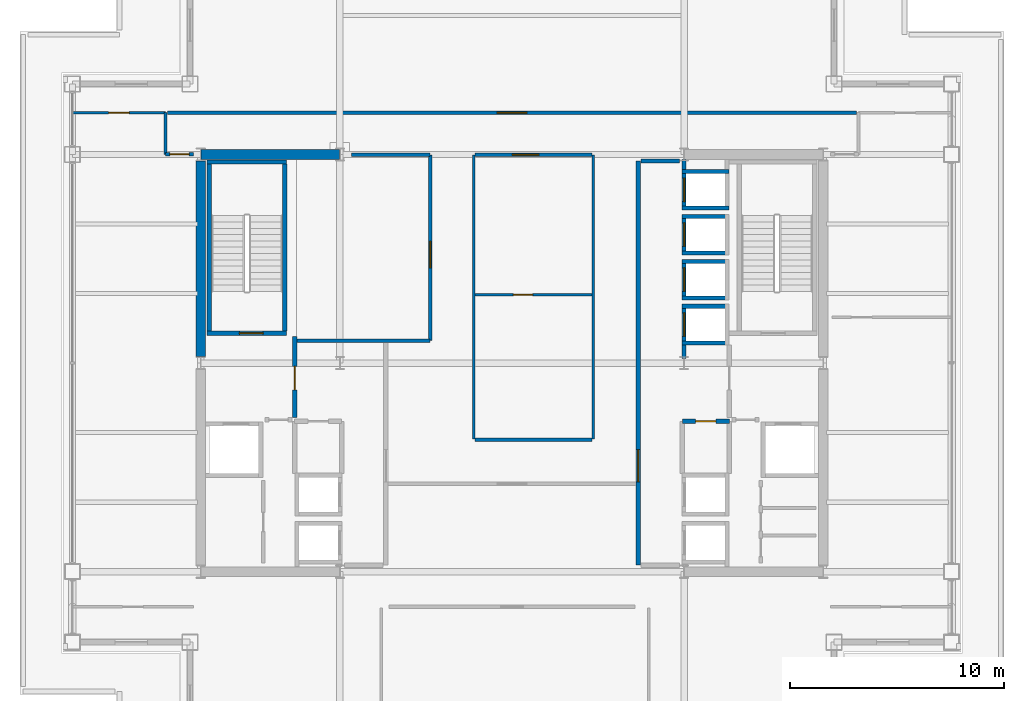
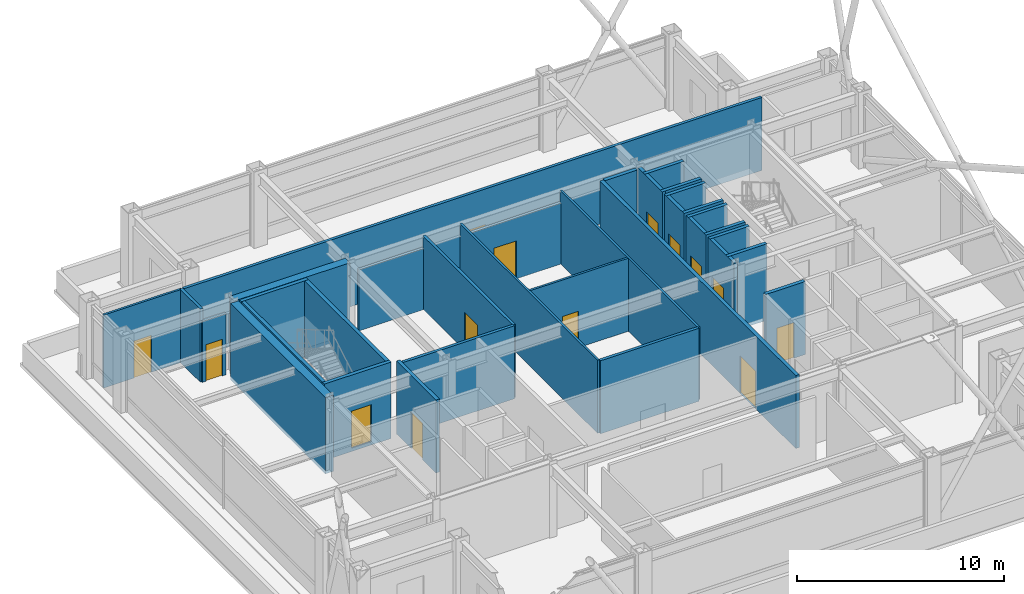
# One storey, part 21 of 24: 34 walls, 14 doors, 14 openings.
"""IFC4 building model written with IfcOpenShell, lengths in metres."""

from ifc_helpers import new_model, si_unit, direction, frame, frame_2d, origin, place, context, subcontext, project, spatial, rectangle, extrude, material, layer, layer_set, type_object, element, fill, save


model = new_model("IFC4")

# Units and contexts
model_context = context("Model", 3, precision=1e-05, world=origin(), true_north=direction((0.0, 1.0)))
body_context = subcontext(model_context, "Body", "Model", "MODEL_VIEW")
ifc_project = project(units=[si_unit("LENGTHUNIT", "METRE"), si_unit("AREAUNIT", "SQUARE_METRE"), si_unit("VOLUMEUNIT", "CUBIC_METRE"), si_unit("PLANEANGLEUNIT", "RADIAN"), si_unit("MASSUNIT", "GRAM", prefix="KILO")], contexts=[model_context])

# Site, building, storey
site_placement = place(None, origin())
site = spatial("IfcSite", under=ifc_project, at=site_placement, CompositionType="ELEMENT")
building_placement = place(site_placement, origin())
building = spatial("IfcBuilding", under=site, at=building_placement, Name="Brelmoor Portico Tower", CompositionType="ELEMENT")
storey_placement = place(building_placement, frame((0.0, 0.0, 150.60009765625)))
storey = spatial("IfcBuildingStorey", under=building, at=storey_placement, Name="L39", CompositionType="ELEMENT", Elevation=150.60009765625)

# Walls
ifc_material_1 = material(Name="Concrete C50", Category="concrete")
ifc_layer_1 = layer(ifc_material_1, 0.449951171875)
ifc_layer_set_1 = layer_set([ifc_layer_1], Name="Concrete C50")
wall_type_1 = type_object("IfcWallType", Name="WL-CORE-450", PredefinedType="SHEAR", material=ifc_layer_set_1)
wall_1_placement = place(storey_placement, frame((-14.530029296875, 9.75, -0.2001953125), z_axis=(0.0, 0.0, 1.0), x_axis=(1.0, 0.0, 0.0)))
element("IfcWall", 1, at=wall_1_placement, inside=storey, type_object=wall_type_1, Name="L39 WC North Shear Wall", PredefinedType="SHEAR", context=body_context, shape_type="SweptSolid", body=[
    extrude(rectangle(XDim=6.4599609375, YDim=0.449951171875, at=frame_2d((3.22998046875, 0.0))), origin(), (0.0, 0.0, 1.0), 4.5),
])
wall_2_placement = place(storey_placement, frame((-14.550048828125, 0.300048828125, -0.2001953125), z_axis=(0.0, 0.0, 1.0), x_axis=(0.0, 1.0, 0.0)))
element("IfcWall", 2, at=wall_2_placement, inside=storey, type_object=wall_type_1, Name="L39 WC Outer North Shear Wall", PredefinedType="SHEAR", context=body_context, shape_type="SweptSolid", body=[
    extrude(rectangle(XDim=9.14990234375, YDim=0.449951171875, at=frame_2d((4.574951171875, 0.0))), origin(), (0.0, 0.0, 1.0), 4.5),
])
ifc_material_2 = material(Name="Lightweight Gypsum Office Partition", Category="gypsum")
ifc_layer_2 = layer(ifc_material_2, 0.1201171875)
ifc_layer_set_2 = layer_set([ifc_layer_2], Name="Lightweight Gypsum Office Partition")
wall_type_2 = type_object("IfcWallType", Name="WL-PART-120", PredefinedType="PARTITIONING", material=ifc_layer_set_2)
for number, where, z_axis, x_axis, name in (
    (3, (-1.780029296875, -3.550048828125, 0.0), (0.0, 0.0, 1.0), (0.0, 1.0, 0.0), "L39 Central Studio West Wall"),
    (4, (3.800048828125, -3.550048828125, 0.0), (0.0, 0.0, 1.0), (0.0, 1.0, 0.0), "L39 Central Studio East Wall"),
):
    element("IfcWall", number, at=place(storey_placement, frame(where, z_axis=z_axis, x_axis=x_axis)), inside=storey, type_object=wall_type_2, Name=name, PredefinedType="PARTITIONING", context=body_context, shape_type="SweptSolid", body=[
        extrude(rectangle(XDim=13.280029296875, YDim=0.1201171875, at=frame_2d((6.64013671875, 0.0))), origin(), (0.0, 0.0, 1.0), 4.2998046875),
    ])

# Wall, opening, door
wall_3_placement = place(storey_placement, frame((-1.72998046875, 3.199951171875, 0.0), z_axis=(0.0, 0.0, 1.0), x_axis=(1.0, 0.0, 0.0)))
wall_3 = element("IfcWall", 5, at=wall_3_placement, inside=storey, type_object=wall_type_2, Name="L39 Central Pantry Divider", PredefinedType="PARTITIONING", context=body_context, shape_type="SweptSolid", body=[
    extrude(rectangle(XDim=5.47998046875, YDim=0.1201171875, at=frame_2d((2.739990234375, 0.0))), origin(), (0.0, 0.0, 1.0), 4.2998046875),
])
opening_1_placement = place(wall_3_placement, frame((1.800048828125, 0.0, 0.0)))
opening_1 = element("IfcOpeningElement", 6, at=opening_1_placement, cuts=wall_3, Name="Opening D-IN1", PredefinedType="OPENING", context=body_context, shape_type="SweptSolid", body=[
    extrude(rectangle(XDim=0.89990234375, YDim=2.14990234375, at=frame_2d((0.449951171875, 1.074951171875))), frame((0.0, 0.070068359375, 0.0), z_axis=(0.0, -1.0, 0.0), x_axis=(1.0, 0.0, 0.0)), (0.0, 0.0, 1.0), 0.14013671875),
])
ifc_material_3 = material(Name="Lacquered Timber Suite Door", Category="wood")
door_type_1 = type_object("IfcDoorType", Name="DR-INT-900", OperationType="NOTDEFINED", PredefinedType="DOOR", material=ifc_material_3)
door_1_placement = place(opening_1_placement, origin())
door_1 = element("IfcDoor", 7, at=door_1_placement, inside=storey, type_object=door_type_1, Name="D-1670 L39 Central Pantry Connecting Door", OperationType="SINGLE_SWING_LEFT", OverallHeight=2.14990234375, OverallWidth=0.89990234375, PredefinedType="DOOR", context=body_context, shape_type="SweptSolid", body=[
    extrude(rectangle(XDim=0.89990234375, YDim=2.14990234375, at=frame_2d((0.449951171875, 1.074951171875))), frame((0.0, 0.02490234375, 0.0), z_axis=(0.0, -1.0, 0.0), x_axis=(1.0, 0.0, 0.0)), (0.0, 0.0, 1.0), 0.050048828125),
])
fill(opening_1, door_1)

wall_4_placement = place(storey_placement, frame((-20.56005859375, 11.7099609375, 0.0), z_axis=(0.0, 0.0, 1.0), x_axis=(1.0, 0.0, 0.0)))
wall_4 = element("IfcWall", 8, at=wall_4_placement, inside=storey, type_object=wall_type_2, Name="L39 North Wing Closure WL", PredefinedType="PARTITIONING", context=body_context, shape_type="SweptSolid", body=[
    extrude(rectangle(XDim=4.360107421875, YDim=0.1201171875, at=frame_2d((2.18017578125, 0.0))), origin(), (0.0, 0.0, 1.0), 4.2998046875),
])
opening_2_placement = place(wall_4_placement, frame((1.699951171875, 0.0, 0.0)))
opening_2 = element("IfcOpeningElement", 9, at=opening_2_placement, cuts=wall_4, Name="Opening D-IN2", PredefinedType="OPENING", context=body_context, shape_type="SweptSolid", body=[
    extrude(rectangle(XDim=0.9599609375, YDim=2.179931640625, at=frame_2d((0.47998046875, 1.08984375))), frame((0.0, 0.070068359375, 0.0), z_axis=(0.0, -1.0, 0.0), x_axis=(1.0, 0.0, 0.0)), (0.0, 0.0, 1.0), 0.14013671875),
])
door_type_2 = type_object("IfcDoorType", Name="DR-INT-950", OperationType="NOTDEFINED", PredefinedType="DOOR", material=ifc_material_3)
door_2_placement = place(opening_2_placement, origin())
door_2 = element("IfcDoor", 10, at=door_2_placement, inside=storey, type_object=door_type_2, Name="D-1686 L39 WL Wing North Suite Door", OperationType="SINGLE_SWING_LEFT", OverallHeight=2.179931640625, OverallWidth=0.9599609375, PredefinedType="DOOR", context=body_context, shape_type="SweptSolid", body=[
    extrude(rectangle(XDim=0.9599609375, YDim=2.179931640625, at=frame_2d((0.47998046875, 1.08984375))), frame((0.0, 0.02490234375, 0.0), z_axis=(0.0, -1.0, 0.0), x_axis=(1.0, 0.0, 0.0)), (0.0, 0.0, 1.0), 0.050048828125),
])
fill(opening_2, door_2)

# Wall
ifc_material_4 = material(Name="Twin-Frame Acoustic Partition", Category="gypsum")
ifc_layer_3 = layer(ifc_material_4, 0.159912109375)
ifc_layer_set_3 = layer_set([ifc_layer_3], Name="Twin-Frame Acoustic Partition")
wall_type_3 = type_object("IfcWallType", Name="WL-PART-160", PredefinedType="PARTITIONING", material=ifc_layer_set_3)
wall_5_placement = place(storey_placement, frame((-10.050048828125, 1.050048828125, 0.0), z_axis=(0.0, 0.0, 1.0), x_axis=(1.0, 0.0, 0.0)))
element("IfcWall", 11, at=wall_5_placement, inside=storey, type_object=wall_type_3, Name="L39 Reclaimed West Suite South Wall", PredefinedType="PARTITIONING", context=body_context, shape_type="SweptSolid", body=[
    extrude(rectangle(XDim=6.2099609375, YDim=0.159912109375, at=frame_2d((3.10498046875, 0.0))), origin(), (0.0, 0.0, 1.0), 4.2998046875),
])

# Wall, opening, door
wall_6_placement = place(storey_placement, frame((-3.820068359375, 1.050048828125, 0.0), z_axis=(0.0, 0.0, 1.0), x_axis=(0.0, 1.0, 0.0)))
wall_6 = element("IfcWall", 12, at=wall_6_placement, inside=storey, type_object=wall_type_3, Name="L39 Reclaimed West Suite East Wall", PredefinedType="PARTITIONING", context=body_context, shape_type="SweptSolid", body=[
    extrude(rectangle(XDim=8.679931640625, YDim=0.159912109375, at=frame_2d((4.33984375, 0.0))), origin(), (0.0, 0.0, 1.0), 4.2998046875),
])
opening_3_placement = place(wall_6_placement, frame((3.39990234375, 0.0, 0.0)))
opening_3 = element("IfcOpeningElement", 13, at=opening_3_placement, cuts=wall_6, Name="Opening D-SU1", PredefinedType="OPENING", context=body_context, shape_type="SweptSolid", body=[
    extrude(rectangle(XDim=1.239990234375, YDim=2.239990234375, at=frame_2d((0.6201171875, 1.1201171875))), frame((0.0, 0.08984375, 0.0), z_axis=(0.0, -1.0, 0.0), x_axis=(1.0, 0.0, 0.0)), (0.0, 0.0, 1.0), 0.179931640625),
])
ifc_material_5 = material(Name="Glazed Timber Executive Suite Door", Category="wood")
door_type_3 = type_object("IfcDoorType", Name="DR-SUITE-1200", OperationType="NOTDEFINED", PredefinedType="DOOR", material=ifc_material_5)
door_3_placement = place(opening_3_placement, origin())
door_3 = element("IfcDoor", 14, at=door_3_placement, inside=storey, type_object=door_type_3, Name="D-1687 L39 West Reclaimed Collaboration Office Door", OperationType="SINGLE_SWING_RIGHT", OverallHeight=2.239990234375, OverallWidth=1.239990234375, PredefinedType="DOOR", context=body_context, shape_type="SweptSolid", body=[
    extrude(rectangle(XDim=1.239990234375, YDim=2.239990234375, at=frame_2d((0.6201171875, 1.1201171875))), frame((0.0, 0.02490234375, 0.0), z_axis=(0.0, -1.0, 0.0), x_axis=(1.0, 0.0, 0.0)), (0.0, 0.0, 1.0), 0.050048828125),
])
fill(opening_3, door_3)

# Walls
wall_7_placement = place(storey_placement, frame((-7.5, 9.72998046875, 0.0), z_axis=(0.0, 0.0, 1.0), x_axis=(1.0, 0.0, 0.0)))
element("IfcWall", 15, at=wall_7_placement, inside=storey, type_object=wall_type_3, Name="L39 Reclaimed West Suite North Wall", PredefinedType="PARTITIONING", context=body_context, shape_type="SweptSolid", body=[
    extrude(rectangle(XDim=3.659912109375, YDim=0.159912109375, at=frame_2d((1.830078125, 0.0))), origin(), (0.0, 0.0, 1.0), 3.599853515625),
])
wall_8_placement = place(storey_placement, frame((-1.72998046875, -3.580078125, 0.0), z_axis=(0.0, 0.0, 1.0), x_axis=(1.0, 0.0, 0.0)))
element("IfcWall", 16, at=wall_8_placement, inside=storey, type_object=wall_type_3, Name="L39 Central Studio South Wall", PredefinedType="PARTITIONING", context=body_context, shape_type="SweptSolid", body=[
    extrude(rectangle(XDim=5.47998046875, YDim=0.159912109375, at=frame_2d((2.739990234375, 0.0))), origin(), (0.0, 0.0, 1.0), 4.2998046875),
])

# Wall, opening, door
wall_9_placement = place(storey_placement, frame((-1.72998046875, 9.72998046875, 0.0), z_axis=(0.0, 0.0, 1.0), x_axis=(1.0, 0.0, 0.0)))
wall_9 = element("IfcWall", 17, at=wall_9_placement, inside=storey, type_object=wall_type_3, Name="L39 Central Meeting North Wall", PredefinedType="PARTITIONING", context=body_context, shape_type="SweptSolid", body=[
    extrude(rectangle(XDim=5.47998046875, YDim=0.159912109375, at=frame_2d((2.739990234375, 0.0))), origin(), (0.0, 0.0, 1.0), 3.599853515625),
])
opening_4_placement = place(wall_9_placement, frame((1.75, 0.0, 0.0)))
opening_4 = element("IfcOpeningElement", 18, at=opening_4_placement, cuts=wall_9, Name="Opening D-SU1", PredefinedType="OPENING", context=body_context, shape_type="SweptSolid", body=[
    extrude(rectangle(XDim=1.239990234375, YDim=2.239990234375, at=frame_2d((0.6201171875, 1.1201171875))), frame((0.0, 0.08984375, 0.0), z_axis=(0.0, -1.0, 0.0), x_axis=(1.0, 0.0, 0.0)), (0.0, 0.0, 1.0), 0.179931640625),
])
door_4_placement = place(opening_4_placement, origin())
door_4 = element("IfcDoor", 19, at=door_4_placement, inside=storey, type_object=door_type_3, Name="D-1671 L39 Client Meeting Room Door", OperationType="SINGLE_SWING_RIGHT", OverallHeight=2.239990234375, OverallWidth=1.239990234375, PredefinedType="DOOR", context=body_context, shape_type="SweptSolid", body=[
    extrude(rectangle(XDim=1.239990234375, YDim=2.239990234375, at=frame_2d((0.6201171875, 1.1201171875))), frame((0.0, 0.02490234375, 0.0), z_axis=(0.0, -1.0, 0.0), x_axis=(1.0, 0.0, 0.0)), (0.0, 0.0, 1.0), 0.050048828125),
])
fill(opening_4, door_4)

wall_10_placement = place(storey_placement, frame((-16.10009765625, 11.7099609375, 0.0), z_axis=(0.0, 0.0, 1.0), x_axis=(1.0, 0.0, 0.0)))
wall_10 = element("IfcWall", 20, at=wall_10_placement, inside=storey, type_object=wall_type_3, Name="L39 North Corridor Partition", PredefinedType="PARTITIONING", context=body_context, shape_type="SweptSolid", body=[
    extrude(rectangle(XDim=32.2001953125, YDim=0.159912109375, at=frame_2d((16.10009765625, 0.0))), origin(), (0.0, 0.0, 1.0), 4.2998046875),
])
opening_5_placement = place(wall_10_placement, frame((15.39990234375, 0.0, 0.0)))
opening_5 = element("IfcOpeningElement", 21, at=opening_5_placement, cuts=wall_10, Name="Opening D-SU2", PredefinedType="OPENING", context=body_context, shape_type="SweptSolid", body=[
    extrude(rectangle(XDim=1.39990234375, YDim=2.199951171875, at=frame_2d((0.699951171875, 1.10009765625))), frame((0.0, 0.08984375, 0.0), z_axis=(0.0, -1.0, 0.0), x_axis=(1.0, 0.0, 0.0)), (0.0, 0.0, 1.0), 0.179931640625),
])
ifc_material_6 = material(Name="Double-Leaf Acoustic Suite Door", Category="timber")
door_type_4 = type_object("IfcDoorType", Name="DR-SUITE-1400", OperationType="NOTDEFINED", PredefinedType="DOOR", material=ifc_material_6)
door_5_placement = place(opening_5_placement, origin())
door_5 = element("IfcDoor", 22, at=door_5_placement, inside=storey, type_object=door_type_4, Name="D-1684 L39 North Sky-Lobby Transfer Lounge 1 Door", OperationType="DOUBLE_DOOR_SINGLE_SWING", OverallHeight=2.199951171875, OverallWidth=1.39990234375, PredefinedType="DOOR", context=body_context, shape_type="SweptSolid", body=[
    extrude(rectangle(XDim=1.39990234375, YDim=2.199951171875, at=frame_2d((0.699951171875, 1.10009765625))), frame((0.0, 0.02490234375, 0.0), z_axis=(0.0, -1.0, 0.0), x_axis=(1.0, 0.0, 0.0)), (0.0, 0.0, 1.0), 0.050048828125),
])
fill(opening_5, door_5)

wall_11_placement = place(storey_placement, frame((-16.199951171875, 9.760009765625, 0.0), z_axis=(0.0, 0.0, 1.0), x_axis=(1.0, 0.0, 0.0)))
wall_11 = element("IfcWall", 23, at=wall_11_placement, inside=storey, type_object=wall_type_3, Name="L39 W Wing North Entry Wall", PredefinedType="PARTITIONING", context=body_context, shape_type="SweptSolid", body=[
    extrude(rectangle(XDim=1.320068359375, YDim=0.159912109375, at=frame_2d((0.66015625, 0.0))), origin(), (0.0, 0.0, 1.0), 3.599853515625),
])
opening_6_placement = place(wall_11_placement, frame((0.2099609375, 0.0, 0.0)))
opening_6 = element("IfcOpeningElement", 24, at=opening_6_placement, cuts=wall_11, Name="Opening D-IN1", PredefinedType="OPENING", context=body_context, shape_type="SweptSolid", body=[
    extrude(rectangle(XDim=0.89990234375, YDim=2.14990234375, at=frame_2d((0.449951171875, 1.074951171875))), frame((0.0, 0.08984375, 0.0), z_axis=(0.0, -1.0, 0.0), x_axis=(1.0, 0.0, 0.0)), (0.0, 0.0, 1.0), 0.179931640625),
])
door_6_placement = place(opening_6_placement, origin())
door_6 = element("IfcDoor", 25, at=door_6_placement, inside=storey, type_object=door_type_1, Name="D-1697 L39 W Wing Entry Door", OperationType="SINGLE_SWING_RIGHT", OverallHeight=2.14990234375, OverallWidth=0.89990234375, PredefinedType="DOOR", context=body_context, shape_type="SweptSolid", body=[
    extrude(rectangle(XDim=0.89990234375, YDim=2.14990234375, at=frame_2d((0.449951171875, 1.074951171875))), frame((0.0, 0.02490234375, 0.0), z_axis=(0.0, -1.0, 0.0), x_axis=(1.0, 0.0, 0.0)), (0.0, 0.0, 1.0), 0.050048828125),
])
fill(opening_6, door_6)

# Wall
wall_12_placement = place(storey_placement, frame((-16.199951171875, 9.760009765625, 0.0), z_axis=(0.0, 0.0, 1.0), x_axis=(0.0, 1.0, 0.0)))
element("IfcWall", 26, at=wall_12_placement, inside=storey, type_object=wall_type_3, Name="L39 W Corridor End Closure", PredefinedType="PARTITIONING", context=body_context, shape_type="SweptSolid", body=[
    extrude(rectangle(XDim=1.949951171875, YDim=0.159912109375, at=frame_2d((0.97509765625, 0.0))), origin(), (0.0, 0.0, 1.0), 4.2998046875),
])

# Wall, opening, door
ifc_material_7 = material(Name="Double-Stud Gypsum Fire Partition", Category="gypsum")
ifc_layer_4 = layer(ifc_material_7, 0.199951171875)
ifc_layer_set_4 = layer_set([ifc_layer_4], Name="Double-Stud Gypsum Fire Partition")
wall_type_4 = type_object("IfcWallType", Name="WL-PART-200", PredefinedType="PARTITIONING", material=ifc_layer_set_4)
wall_13_placement = place(storey_placement, frame((-10.159912109375, -2.550048828125, 0.0), z_axis=(0.0, 0.0, 1.0), x_axis=(0.0, 1.0, 0.0)))
wall_13 = element("IfcWall", 27, at=wall_13_placement, inside=storey, type_object=wall_type_4, Name="L39 W Firefighting Lobby Wall", PredefinedType="PARTITIONING", context=body_context, shape_type="SweptSolid", body=[
    extrude(rectangle(XDim=3.800048828125, YDim=0.199951171875, at=frame_2d((1.89990234375, 0.0))), origin(), (0.0, 0.0, 1.0), 4.2998046875),
])
opening_7_placement = place(wall_13_placement, frame((1.300048828125, 0.0, 0.0)))
opening_7 = element("IfcOpeningElement", 28, at=opening_7_placement, cuts=wall_13, Name="Opening D-FR1", PredefinedType="OPENING", context=body_context, shape_type="SweptSolid", body=[
    extrude(rectangle(XDim=1.10009765625, YDim=2.14990234375, at=frame_2d((0.550048828125, 1.074951171875))), frame((0.0, 0.10986328125, 0.0), z_axis=(0.0, -1.0, 0.0), x_axis=(1.0, 0.0, 0.0)), (0.0, 0.0, 1.0), 0.219970703125),
])
ifc_material_8 = material(Name="Painted Galvanised Steel Fire Door", Category="steel")
door_type_5 = type_object("IfcDoorType", Name="DR-FIRE-1100", OperationType="NOTDEFINED", PredefinedType="DOOR", material=ifc_material_8)
door_7_placement = place(opening_7_placement, origin())
door_7 = element("IfcDoor", 29, at=door_7_placement, inside=storey, type_object=door_type_5, Name="D-1681 L39 W Firefighting Lobby Door", OperationType="SINGLE_SWING_RIGHT", OverallHeight=2.14990234375, OverallWidth=1.10009765625, PredefinedType="DOOR", context=body_context, shape_type="SweptSolid", body=[
    extrude(rectangle(XDim=1.10009765625, YDim=2.14990234375, at=frame_2d((0.550048828125, 1.074951171875))), frame((0.0, 0.02490234375, 0.0), z_axis=(0.0, -1.0, 0.0), x_axis=(1.0, 0.0, 0.0)), (0.0, 0.0, 1.0), 0.050048828125),
])
fill(opening_7, door_7)

wall_14_placement = place(storey_placement, frame((5.89990234375, -9.449951171875, 0.0), z_axis=(0.0, 0.0, 1.0), x_axis=(0.0, 1.0, 0.0)))
wall_14 = element("IfcWall", 30, at=wall_14_placement, inside=storey, type_object=wall_type_4, Name="L39 E Core Lobby Compartment Wall", PredefinedType="PARTITIONING", context=body_context, shape_type="SweptSolid", body=[
    extrude(rectangle(XDim=18.89990234375, YDim=0.199951171875, at=frame_2d((9.449951171875, 0.0))), origin(), (0.0, 0.0, 1.0), 4.2998046875),
])
opening_8_placement = place(wall_14_placement, frame((3.89990234375, 0.0, 0.0)))
opening_8 = element("IfcOpeningElement", 31, at=opening_8_placement, cuts=wall_14, Name="Opening D-LB1", PredefinedType="OPENING", context=body_context, shape_type="SweptSolid", body=[
    extrude(rectangle(XDim=1.5, YDim=2.199951171875, at=frame_2d((0.75, 1.10009765625))), frame((0.0, 0.10986328125, 0.0), z_axis=(0.0, -1.0, 0.0), x_axis=(1.0, 0.0, 0.0)), (0.0, 0.0, 1.0), 0.219970703125),
])
ifc_material_9 = material(Name="Double-Leaf Glazed Steel Fire Door", Category="steel")
door_type_6 = type_object("IfcDoorType", Name="DR-LOBBY-1500", OperationType="NOTDEFINED", PredefinedType="DOOR", material=ifc_material_9)
door_8_placement = place(opening_8_placement, origin())
door_8 = element("IfcDoor", 32, at=door_8_placement, inside=storey, type_object=door_type_6, Name="D-1682 L39 E Lift Lobby Main Door", OperationType="DOUBLE_DOOR_SINGLE_SWING", OverallHeight=2.199951171875, OverallWidth=1.5, PredefinedType="DOOR", context=body_context, shape_type="SweptSolid", body=[
    extrude(rectangle(XDim=1.5, YDim=2.199951171875, at=frame_2d((0.75, 1.10009765625))), frame((0.0, 0.02490234375, 0.0), z_axis=(0.0, -1.0, 0.0), x_axis=(1.0, 0.0, 0.0)), (0.0, 0.0, 1.0), 0.050048828125),
])
fill(opening_8, door_8)

# Wall
wall_15_placement = place(storey_placement, frame((6.02001953125, 9.449951171875, 0.0), z_axis=(0.0, 0.0, 1.0), x_axis=(1.0, 0.0, 0.0)))
element("IfcWall", 33, at=wall_15_placement, inside=storey, type_object=wall_type_4, Name="L39 E Lift Lobby North End Wall", PredefinedType="PARTITIONING", context=body_context, shape_type="SweptSolid", body=[
    extrude(rectangle(XDim=1.800048828125, YDim=0.199951171875, at=frame_2d((0.89990234375, 0.0))), origin(), (0.0, 0.0, 1.0), 4.2998046875),
])

# Wall, opening, door
wall_16_placement = place(storey_placement, frame((7.9599609375, -2.719970703125, 0.0), z_axis=(0.0, 0.0, 1.0), x_axis=(1.0, 0.0, 0.0)))
wall_16 = element("IfcWall", 34, at=wall_16_placement, inside=storey, type_object=wall_type_4, Name="L39 E Electrical Switchgear Closet Wall", PredefinedType="PARTITIONING", context=body_context, shape_type="SweptSolid", body=[
    extrude(rectangle(XDim=2.199951171875, YDim=0.199951171875, at=frame_2d((1.10009765625, 0.0))), origin(), (0.0, 0.0, 1.0), 4.2998046875),
])
opening_9_placement = place(wall_16_placement, frame((0.6201171875, 0.0, 0.0)))
opening_9 = element("IfcOpeningElement", 35, at=opening_9_placement, cuts=wall_16, Name="Opening D-FR4", PredefinedType="OPENING", context=body_context, shape_type="SweptSolid", body=[
    extrude(rectangle(XDim=0.949951171875, YDim=2.10009765625, at=frame_2d((0.47509765625, 1.050048828125))), frame((0.0, 0.10986328125, 0.0), z_axis=(0.0, -1.0, 0.0), x_axis=(1.0, 0.0, 0.0)), (0.0, 0.0, 1.0), 0.219970703125),
])
ifc_material_10 = material(Name="Painted Galvanised Steel Riser Door", Category="steel")
door_type_7 = type_object("IfcDoorType", Name="DR-FIRE-950", OperationType="NOTDEFINED", PredefinedType="DOOR", material=ifc_material_10)
door_9_placement = place(opening_9_placement, origin())
door_9 = element("IfcDoor", 36, at=door_9_placement, inside=storey, type_object=door_type_7, Name="D-1678 L39 E Electrical Switchgear Closet Door", OperationType="SINGLE_SWING_RIGHT", OverallHeight=2.10009765625, OverallWidth=0.949951171875, PredefinedType="DOOR", context=body_context, shape_type="SweptSolid", body=[
    extrude(rectangle(XDim=0.949951171875, YDim=2.10009765625, at=frame_2d((0.47509765625, 1.050048828125))), frame((0.0, 0.02490234375, 0.0), z_axis=(0.0, -1.0, 0.0), x_axis=(1.0, 0.0, 0.0)), (0.0, 0.0, 1.0), 0.050048828125),
])
fill(opening_9, door_9)

ifc_material_11 = material(Name="Precast Concrete C40", Category="concrete")
ifc_layer_5 = layer(ifc_material_11, 0.18994140625)
ifc_layer_set_5 = layer_set([ifc_layer_5], Name="Precast Concrete C40")
wall_type_5 = type_object("IfcWallType", Name="WL-SHAFT-180", PredefinedType="SOLIDWALL", material=ifc_layer_set_5)
wall_17_placement = place(storey_placement, frame((8.044921875, 0.2099609375, -0.2001953125), z_axis=(0.0, 0.0, 1.0), x_axis=(0.0, 1.0, 0.0)))
wall_17 = element("IfcWall", 37, at=wall_17_placement, inside=storey, type_object=wall_type_5, Name="L39 Lift PM1 Hoistway Front Wall", PredefinedType="SOLIDWALL", context=body_context, shape_type="SweptSolid", body=[
    extrude(rectangle(XDim=2.5400390625, YDim=0.18994140625, at=frame_2d((1.27001953125, 0.0))), origin(), (0.0, 0.0, 1.0), 4.5),
])
opening_10_placement = place(wall_17_placement, frame((1.0400390625, 0.0, 0.199951171875)))
opening_10 = element("IfcOpeningElement", 38, at=opening_10_placement, cuts=wall_17, Name="Opening LD-01", PredefinedType="OPENING", context=body_context, shape_type="SweptSolid", body=[
    extrude(rectangle(XDim=1.10009765625, YDim=2.199951171875, at=frame_2d((0.550048828125, 1.10009765625))), frame((0.0, 0.10498046875, 0.0), z_axis=(0.0, -1.0, 0.0), x_axis=(1.0, 0.0, 0.0)), (0.0, 0.0, 1.0), 0.2099609375),
])
ifc_material_12 = material(Name="Brushed Stainless Steel Sliding Lift Door", Category="steel")
door_type_8 = type_object("IfcDoorType", Name="DR-LIFT-1100", OperationType="NOTDEFINED", PredefinedType="DOOR", material=ifc_material_12)
door_10_placement = place(opening_10_placement, origin())
door_10 = element("IfcDoor", 39, at=door_10_placement, inside=storey, type_object=door_type_8, Name="D-1704 L39 Lift PM1 Sliding Landing Door", OperationType="SLIDING_TO_LEFT", OverallHeight=2.199951171875, OverallWidth=1.10009765625, PredefinedType="DOOR", context=body_context, shape_type="SweptSolid", body=[
    extrude(rectangle(XDim=1.10009765625, YDim=2.199951171875, at=frame_2d((0.550048828125, 1.10009765625))), frame((0.0, 0.02490234375, 0.0), z_axis=(0.0, -1.0, 0.0), x_axis=(1.0, 0.0, 0.0)), (0.0, 0.0, 1.0), 0.050048828125),
])
fill(opening_10, door_10)

# Walls
for number, where, z_axis, x_axis, name in (
    (40, (7.949951171875, 2.655029296875, -0.2001953125), (0.0, 0.0, 1.0), (1.0, 0.0, 0.0), "L39 Lift PM1 Hoistway North Wall"),
    (41, (7.949951171875, 0.945068359375, -0.2001953125), (0.0, 0.0, 1.0), (1.0, 0.0, 0.0), "L39 Lift PM1 Hoistway South Wall"),
):
    element("IfcWall", number, at=place(storey_placement, frame(where, z_axis=z_axis, x_axis=x_axis)), inside=storey, type_object=wall_type_5, Name=name, PredefinedType="SOLIDWALL", context=body_context, shape_type="SweptSolid", body=[
        extrude(rectangle(XDim=2.199951171875, YDim=0.18994140625, at=frame_2d((1.10009765625, 0.0))), origin(), (0.0, 0.0, 1.0), 4.5),
    ])

# Wall, opening, door
wall_18_placement = place(storey_placement, frame((8.044921875, 2.949951171875, -0.2001953125), z_axis=(0.0, 0.0, 1.0), x_axis=(0.0, 1.0, 0.0)))
wall_18 = element("IfcWall", 42, at=wall_18_placement, inside=storey, type_object=wall_type_5, Name="L39 Lift PM2 Hoistway Front Wall", PredefinedType="SOLIDWALL", context=body_context, shape_type="SweptSolid", body=[
    extrude(rectangle(XDim=1.900146484375, YDim=0.18994140625, at=frame_2d((0.9501953125, 0.0))), origin(), (0.0, 0.0, 1.0), 4.5),
])
opening_11_placement = place(wall_18_placement, frame((0.39990234375, 0.0, 0.199951171875)))
opening_11 = element("IfcOpeningElement", 43, at=opening_11_placement, cuts=wall_18, Name="Opening LD-01", PredefinedType="OPENING", context=body_context, shape_type="SweptSolid", body=[
    extrude(rectangle(XDim=1.10009765625, YDim=2.199951171875, at=frame_2d((0.550048828125, 1.10009765625))), frame((0.0, 0.10498046875, 0.0), z_axis=(0.0, -1.0, 0.0), x_axis=(1.0, 0.0, 0.0)), (0.0, 0.0, 1.0), 0.2099609375),
])
door_11_placement = place(opening_11_placement, origin())
door_11 = element("IfcDoor", 44, at=door_11_placement, inside=storey, type_object=door_type_8, Name="D-1705 L39 Lift PM2 Sliding Landing Door", OperationType="SLIDING_TO_LEFT", OverallHeight=2.199951171875, OverallWidth=1.10009765625, PredefinedType="DOOR", context=body_context, shape_type="SweptSolid", body=[
    extrude(rectangle(XDim=1.10009765625, YDim=2.199951171875, at=frame_2d((0.550048828125, 1.10009765625))), frame((0.0, 0.02490234375, 0.0), z_axis=(0.0, -1.0, 0.0), x_axis=(1.0, 0.0, 0.0)), (0.0, 0.0, 1.0), 0.050048828125),
])
fill(opening_11, door_11)

# Walls
for number, where, z_axis, x_axis, name in (
    (45, (7.949951171875, 4.7548828125, -0.2001953125), (0.0, 0.0, 1.0), (1.0, 0.0, 0.0), "L39 Lift PM2 Hoistway North Wall"),
    (46, (7.949951171875, 3.044921875, -0.2001953125), (0.0, 0.0, 1.0), (1.0, 0.0, 0.0), "L39 Lift PM2 Hoistway South Wall"),
):
    element("IfcWall", number, at=place(storey_placement, frame(where, z_axis=z_axis, x_axis=x_axis)), inside=storey, type_object=wall_type_5, Name=name, PredefinedType="SOLIDWALL", context=body_context, shape_type="SweptSolid", body=[
        extrude(rectangle(XDim=2.199951171875, YDim=0.18994140625, at=frame_2d((1.10009765625, 0.0))), origin(), (0.0, 0.0, 1.0), 4.5),
    ])

# Wall, opening, door
wall_19_placement = place(storey_placement, frame((8.044921875, 5.050048828125, -0.2001953125), z_axis=(0.0, 0.0, 1.0), x_axis=(0.0, 1.0, 0.0)))
wall_19 = element("IfcWall", 47, at=wall_19_placement, inside=storey, type_object=wall_type_5, Name="L39 Lift PM3 Hoistway Front Wall", PredefinedType="SOLIDWALL", context=body_context, shape_type="SweptSolid", body=[
    extrude(rectangle(XDim=1.89990234375, YDim=0.18994140625, at=frame_2d((0.949951171875, 0.0))), origin(), (0.0, 0.0, 1.0), 4.5),
])
opening_12_placement = place(wall_19_placement, frame((0.39990234375, 0.0, 0.199951171875)))
opening_12 = element("IfcOpeningElement", 48, at=opening_12_placement, cuts=wall_19, Name="Opening LD-01", PredefinedType="OPENING", context=body_context, shape_type="SweptSolid", body=[
    extrude(rectangle(XDim=1.10009765625, YDim=2.199951171875, at=frame_2d((0.550048828125, 1.10009765625))), frame((0.0, 0.10498046875, 0.0), z_axis=(0.0, -1.0, 0.0), x_axis=(1.0, 0.0, 0.0)), (0.0, 0.0, 1.0), 0.2099609375),
])
door_12_placement = place(opening_12_placement, origin())
door_12 = element("IfcDoor", 49, at=door_12_placement, inside=storey, type_object=door_type_8, Name="D-1706 L39 Lift PM3 Sliding Landing Door", OperationType="SLIDING_TO_LEFT", OverallHeight=2.199951171875, OverallWidth=1.10009765625, PredefinedType="DOOR", context=body_context, shape_type="SweptSolid", body=[
    extrude(rectangle(XDim=1.10009765625, YDim=2.199951171875, at=frame_2d((0.550048828125, 1.10009765625))), frame((0.0, 0.02490234375, 0.0), z_axis=(0.0, -1.0, 0.0), x_axis=(1.0, 0.0, 0.0)), (0.0, 0.0, 1.0), 0.050048828125),
])
fill(opening_12, door_12)

# Walls
for number, where, z_axis, x_axis, name in (
    (50, (7.949951171875, 6.85498046875, -0.2001953125), (0.0, 0.0, 1.0), (1.0, 0.0, 0.0), "L39 Lift PM3 Hoistway North Wall"),
    (51, (7.949951171875, 5.14501953125, -0.2001953125), (0.0, 0.0, 1.0), (1.0, 0.0, 0.0), "L39 Lift PM3 Hoistway South Wall"),
):
    element("IfcWall", number, at=place(storey_placement, frame(where, z_axis=z_axis, x_axis=x_axis)), inside=storey, type_object=wall_type_5, Name=name, PredefinedType="SOLIDWALL", context=body_context, shape_type="SweptSolid", body=[
        extrude(rectangle(XDim=2.199951171875, YDim=0.18994140625, at=frame_2d((1.10009765625, 0.0))), origin(), (0.0, 0.0, 1.0), 4.5),
    ])

# Wall, opening, door
wall_20_placement = place(storey_placement, frame((8.044921875, 7.14990234375, -0.2001953125), z_axis=(0.0, 0.0, 1.0), x_axis=(0.0, 1.0, 0.0)))
wall_20 = element("IfcWall", 52, at=wall_20_placement, inside=storey, type_object=wall_type_5, Name="L39 Lift PM4 Hoistway Front Wall", PredefinedType="SOLIDWALL", context=body_context, shape_type="SweptSolid", body=[
    extrude(rectangle(XDim=2.3701171875, YDim=0.18994140625, at=frame_2d((1.18505859375, 0.0))), origin(), (0.0, 0.0, 1.0), 4.5),
])
opening_13_placement = place(wall_20_placement, frame((0.39990234375, 0.0, 0.199951171875)))
opening_13 = element("IfcOpeningElement", 53, at=opening_13_placement, cuts=wall_20, Name="Opening LD-01", PredefinedType="OPENING", context=body_context, shape_type="SweptSolid", body=[
    extrude(rectangle(XDim=1.10009765625, YDim=2.199951171875, at=frame_2d((0.550048828125, 1.10009765625))), frame((0.0, 0.10498046875, 0.0), z_axis=(0.0, -1.0, 0.0), x_axis=(1.0, 0.0, 0.0)), (0.0, 0.0, 1.0), 0.2099609375),
])
door_13_placement = place(opening_13_placement, origin())
door_13 = element("IfcDoor", 54, at=door_13_placement, inside=storey, type_object=door_type_8, Name="D-1707 L39 Lift PM4 Sliding Landing Door", OperationType="SLIDING_TO_LEFT", OverallHeight=2.199951171875, OverallWidth=1.10009765625, PredefinedType="DOOR", context=body_context, shape_type="SweptSolid", body=[
    extrude(rectangle(XDim=1.10009765625, YDim=2.199951171875, at=frame_2d((0.550048828125, 1.10009765625))), frame((0.0, 0.02490234375, 0.0), z_axis=(0.0, -1.0, 0.0), x_axis=(1.0, 0.0, 0.0)), (0.0, 0.0, 1.0), 0.050048828125),
])
fill(opening_13, door_13)

# Walls
for number, where, z_axis, x_axis, name in (
    (55, (7.949951171875, 8.955078125, -0.2001953125), (0.0, 0.0, 1.0), (1.0, 0.0, 0.0), "L39 Lift PM4 Hoistway North Wall"),
    (56, (7.949951171875, 7.2451171875, -0.2001953125), (0.0, 0.0, 1.0), (1.0, 0.0, 0.0), "L39 Lift PM4 Hoistway South Wall"),
):
    element("IfcWall", number, at=place(storey_placement, frame(where, z_axis=z_axis, x_axis=x_axis)), inside=storey, type_object=wall_type_5, Name=name, PredefinedType="SOLIDWALL", context=body_context, shape_type="SweptSolid", body=[
        extrude(rectangle(XDim=2.199951171875, YDim=0.18994140625, at=frame_2d((1.10009765625, 0.0))), origin(), (0.0, 0.0, 1.0), 4.5),
    ])
ifc_material_13 = material(Name="Concrete C40", Category="concrete")
ifc_layer_6 = layer(ifc_material_13, 0.199951171875)
ifc_layer_set_6 = layer_set([ifc_layer_6], Name="Concrete C40")
wall_type_6 = type_object("IfcWallType", Name="WL-SHAFT-RC200", PredefinedType="SOLIDWALL", material=ifc_layer_set_6)
wall_21_placement = place(storey_placement, frame((-14.14990234375, 1.5, -0.2001953125), z_axis=(0.0, 0.0, 1.0), x_axis=(0.0, 1.0, 0.0)))
element("IfcWall", 57, at=wall_21_placement, inside=storey, type_object=wall_type_6, Name="L39 ST-W Structural Stair Wall Outer", PredefinedType="SOLIDWALL", context=body_context, shape_type="SweptSolid", body=[
    extrude(rectangle(XDim=7.800048828125, YDim=0.199951171875, at=frame_2d((3.89990234375, 0.0))), origin(), (0.0, 0.0, 1.0), 4.5),
])

# Wall, opening, door
wall_22_placement = place(storey_placement, frame((-14.25, 1.39990234375, -0.2001953125), z_axis=(0.0, 0.0, 1.0), x_axis=(1.0, 0.0, 0.0)))
wall_22 = element("IfcWall", 58, at=wall_22_placement, inside=storey, type_object=wall_type_6, Name="L39 ST-W Structural Stair Wall S", PredefinedType="SOLIDWALL", context=body_context, shape_type="SweptSolid", body=[
    extrude(rectangle(XDim=3.719970703125, YDim=0.199951171875, at=frame_2d((1.85986328125, 0.0))), origin(), (0.0, 0.0, 1.0), 4.5),
])
opening_14_placement = place(wall_22_placement, frame((1.5, 0.0, 0.199951171875)))
opening_14 = element("IfcOpeningElement", 59, at=opening_14_placement, cuts=wall_22, Name="Opening D-ST1", PredefinedType="OPENING", context=body_context, shape_type="SweptSolid", body=[
    extrude(rectangle(XDim=1.1201171875, YDim=2.179931640625, at=frame_2d((0.56005859375, 1.08984375))), frame((0.0, 0.10986328125, 0.0), z_axis=(0.0, -1.0, 0.0), x_axis=(1.0, 0.0, 0.0)), (0.0, 0.0, 1.0), 0.219970703125),
])
door_type_9 = type_object("IfcDoorType", Name="DR-STAIR-1100", OperationType="NOTDEFINED", PredefinedType="DOOR", material=ifc_material_8)
door_14_placement = place(opening_14_placement, origin())
door_14 = element("IfcDoor", 60, at=door_14_placement, inside=storey, type_object=door_type_9, Name="D-1692 L39 ST-W Protected Exit Stair Door", OperationType="SINGLE_SWING_LEFT", OverallHeight=2.179931640625, OverallWidth=1.1201171875, PredefinedType="DOOR", context=body_context, shape_type="SweptSolid", body=[
    extrude(rectangle(XDim=1.1201171875, YDim=2.179931640625, at=frame_2d((0.56005859375, 1.08984375))), frame((0.0, 0.02490234375, 0.0), z_axis=(0.0, -1.0, 0.0), x_axis=(1.0, 0.0, 0.0)), (0.0, 0.0, 1.0), 0.050048828125),
])
fill(opening_14, door_14)

# Walls
wall_23_placement = place(storey_placement, frame((-14.25, 9.39990234375, -0.2001953125), z_axis=(0.0, 0.0, 1.0), x_axis=(1.0, 0.0, 0.0)))
element("IfcWall", 61, at=wall_23_placement, inside=storey, type_object=wall_type_6, Name="L39 ST-W Structural Stair Wall N", PredefinedType="SOLIDWALL", context=body_context, shape_type="SweptSolid", body=[
    extrude(rectangle(XDim=3.719970703125, YDim=0.199951171875, at=frame_2d((1.85986328125, 0.0))), origin(), (0.0, 0.0, 1.0), 4.5),
])
wall_24_placement = place(storey_placement, frame((-10.6298828125, 1.5, -0.2001953125), z_axis=(0.0, 0.0, 1.0), x_axis=(0.0, 1.0, 0.0)))
element("IfcWall", 62, at=wall_24_placement, inside=storey, type_object=wall_type_6, Name="L39 ST-W Structural Stair Wall Inner", PredefinedType="SOLIDWALL", context=body_context, shape_type="SweptSolid", body=[
    extrude(rectangle(XDim=7.800048828125, YDim=0.199951171875, at=frame_2d((3.89990234375, 0.0))), origin(), (0.0, 0.0, 1.0), 4.5),
])

save(model, "model.ifc")
